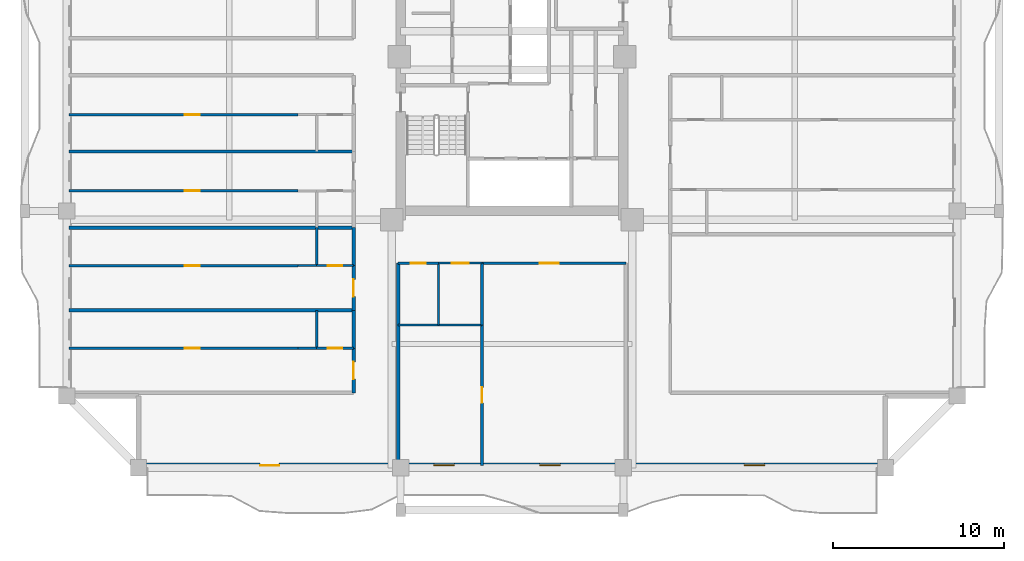
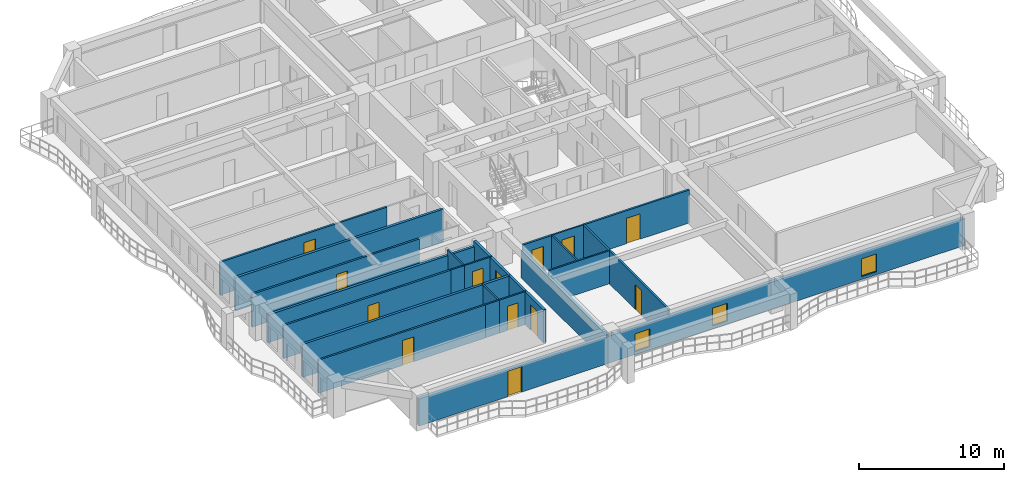
# One storey, part 2 of 13: 26 walls, 13 doors, 3 windows, 16 openings.
"""IFC4 building model written with IfcOpenShell, lengths in metres."""

from ifc_helpers import new_model, si_unit, direction, frame, frame_2d, origin, place, context, subcontext, project, spatial, rectangle, extrude, source, transform, mapped, material, layer, layer_set, type_object, element, fill, save


model = new_model("IFC4")

# Units and contexts
model_context = context("Model", 3, precision=1e-05, world=origin(), true_north=direction((0.0, 1.0)))
body_context = subcontext(model_context, "Body", "Model", "MODEL_VIEW")
ifc_project = project(units=[si_unit("LENGTHUNIT", "METRE"), si_unit("AREAUNIT", "SQUARE_METRE"), si_unit("VOLUMEUNIT", "CUBIC_METRE"), si_unit("PLANEANGLEUNIT", "RADIAN"), si_unit("MASSUNIT", "GRAM", prefix="KILO")], contexts=[model_context])

# Site, building, storey
site_placement = place(None, origin())
site = spatial("IfcSite", under=ifc_project, at=site_placement, CompositionType="ELEMENT")
building_placement = place(site_placement, origin())
building = spatial("IfcBuilding", under=site, at=building_placement, Name="Saelheon Loggia Tower", CompositionType="ELEMENT")
storey_placement = place(building_placement, frame((0.0, 0.0, 129.75)))
storey = spatial("IfcBuildingStorey", under=building, at=storey_placement, Name="L41", CompositionType="ELEMENT", Elevation=129.75)

# Wall, openings, windows, door
ifc_material_1 = material(Name="Architectural Precast Concrete C40/50", Category="concrete")
ifc_layer_1 = layer(ifc_material_1, 0.280029296875)
ifc_layer_set_1 = layer_set([ifc_layer_1], Name="Architectural Precast Concrete C40/50")
wall_type_1 = type_object("IfcWallType", Name="Wall_Ext_Loggia_280", PredefinedType="SOLIDWALL", material=ifc_layer_set_1)
wall_1_placement = place(storey_placement, frame((16.199951171875, 3.139892578125, 0.0), z_axis=(0.0, 0.0, 1.0), x_axis=(1.0, 0.0, 0.0)))
wall_1 = element("IfcWall", 1, at=wall_1_placement, inside=storey, type_object=wall_type_1, Name="L41 South Loggia Inner Wall", PredefinedType="SOLIDWALL", context=body_context, shape_type="SweptSolid", body=[
    extrude(rectangle(XDim=43.60009765625, YDim=0.280029296875, at=frame_2d((21.800048828125, 0.0))), origin(), (0.0, 0.0, 1.0), 2.280029296875),
])
opening_1_placement = place(wall_1_placement, frame((8.2001953125, 0.0, 0.0), z_axis=(0.0, 0.0, 1.0), x_axis=(-1.0, 0.0, 0.0)))
opening_1 = element("IfcOpeningElement", 2, at=opening_1_placement, cuts=wall_1, Name="Opening TD1", PredefinedType="OPENING", context=body_context, shape_type="SweptSolid", body=[
    extrude(rectangle(XDim=1.10009765625, YDim=2.14990234375, at=frame_2d((0.550048828125, 1.074951171875))), frame((0.0, 0.152099609375, 0.0), z_axis=(0.0, -1.0, 0.0), x_axis=(1.0, 0.0, 0.0)), (0.0, 0.0, 1.0), 0.303955078125),
])
opening_2_placement = place(wall_1_placement, frame((17.232421875, 0.0, 0.25)))
opening_2 = element("IfcOpeningElement", 3, at=opening_2_placement, cuts=wall_1, Name="Opening WN-03", PredefinedType="OPENING", context=body_context, shape_type="SweptSolid", body=[
    extrude(rectangle(XDim=1.199951171875, YDim=1.5, at=frame_2d((0.60009765625, 0.75))), frame((0.0, 0.152099609375, 0.0), z_axis=(0.0, -1.0, 0.0), x_axis=(1.0, 0.0, 0.0)), (0.0, 0.0, 1.0), 0.303955078125),
])
opening_3_placement = place(wall_1_placement, frame((23.41748046875, 0.0, 0.25)))
opening_3 = element("IfcOpeningElement", 4, at=opening_3_placement, cuts=wall_1, Name="Opening WN-03", PredefinedType="OPENING", context=body_context, shape_type="SweptSolid", body=[
    extrude(rectangle(XDim=1.199951171875, YDim=1.5, at=frame_2d((0.60009765625, 0.75))), frame((0.0, 0.152099609375, 0.0), z_axis=(0.0, -1.0, 0.0), x_axis=(1.0, 0.0, 0.0)), (0.0, 0.0, 1.0), 0.303955078125),
])
opening_4_placement = place(wall_1_placement, frame((35.35009765625, 0.0, 0.25)))
opening_4 = element("IfcOpeningElement", 5, at=opening_4_placement, cuts=wall_1, Name="Opening WN-03", PredefinedType="OPENING", context=body_context, shape_type="SweptSolid", body=[
    extrude(rectangle(XDim=1.199951171875, YDim=1.5, at=frame_2d((0.60009765625, 0.75))), frame((0.0, 0.152099609375, 0.0), z_axis=(0.0, -1.0, 0.0), x_axis=(1.0, 0.0, 0.0)), (0.0, 0.0, 1.0), 0.303955078125),
])
ifc_material_2 = material(Name="Thermal-Break Aluminium and Triple Low-E Glass", Category="aluminium")
window_type = type_object("IfcWindowType", Name="Win_Bedroom_1200x1500", PartitioningType="SINGLE_PANEL", PredefinedType="WINDOW", material=ifc_material_2)
shared_shape_1 = source(origin(), body_context, "Body", "SweptSolid", [
    extrude(rectangle(XDim=1.199951171875, YDim=1.5, at=frame_2d((0.60009765625, 0.75))), frame((0.0, 0.030029296875, 0.0), z_axis=(0.0, -1.0, 0.0), x_axis=(1.0, 0.0, 0.0)), (0.0, 0.0, 1.0), 0.06005859375),
])
window_1_placement = place(opening_2_placement, origin())
window_1 = element("IfcWindow", 6, at=window_1_placement, inside=storey, type_object=window_type, Name="L41 S Dwelling Window 2", OverallHeight=1.5, OverallWidth=1.199951171875, PartitioningType="SINGLE_PANEL", PredefinedType="WINDOW", context=body_context, shape_type="MappedRepresentation", body=[
    mapped(shared_shape_1, transform((0.0, 0.0, 0.0), scale=1.0)),
])
fill(opening_2, window_1)
window_2_placement = place(opening_3_placement, origin())
window_2 = element("IfcWindow", 7, at=window_2_placement, inside=storey, type_object=window_type, Name="L41 S Dwelling Window 3", OverallHeight=1.5, OverallWidth=1.199951171875, PartitioningType="SINGLE_PANEL", PredefinedType="WINDOW", context=body_context, shape_type="MappedRepresentation", body=[
    mapped(shared_shape_1, transform((0.0, 0.0, 0.0), scale=1.0)),
])
fill(opening_3, window_2)
window_3_placement = place(opening_4_placement, origin())
window_3 = element("IfcWindow", 8, at=window_3_placement, inside=storey, type_object=window_type, Name="L41 S Dwelling Window 4", OverallHeight=1.5, OverallWidth=1.199951171875, PartitioningType="SINGLE_PANEL", PredefinedType="WINDOW", context=body_context, shape_type="MappedRepresentation", body=[
    mapped(shared_shape_1, transform((0.0, 0.0, 0.0), scale=1.0)),
])
fill(opening_4, window_3)
ifc_material_3 = material(Name="Thermal-Break Aluminium Glazed Door", Category="aluminium")
door_type_1 = type_object("IfcDoorType", Name="Door_Terrace_TD1", OperationType="NOTDEFINED", PredefinedType="DOOR", material=ifc_material_3)
shared_shape_2 = source(origin(), body_context, "Body", "SweptSolid", [
    extrude(rectangle(XDim=1.10009765625, YDim=2.14990234375, at=frame_2d((0.550048828125, 1.074951171875))), frame((0.0, 0.02490234375, 0.0), z_axis=(0.0, -1.0, 0.0), x_axis=(1.0, 0.0, 0.0)), (0.0, 0.0, 1.0), 0.050048828125),
])
door_1_placement = place(opening_1_placement, origin())
door_1 = element("IfcDoor", 9, at=door_1_placement, inside=storey, type_object=door_type_1, Name="L41 S Loggia Access Door", OperationType="SINGLE_SWING_LEFT", OverallHeight=2.14990234375, OverallWidth=1.10009765625, PredefinedType="DOOR", context=body_context, shape_type="MappedRepresentation", body=[
    mapped(shared_shape_2, transform((0.0, 0.0, 0.0), scale=1.0)),
])
fill(opening_1, door_1)

# Wall
ifc_material_4 = material(Name="Lightweight Autoclaved Aerated Concrete Block and Acoustic Gypsum", Category="concrete")
ifc_layer_2 = layer(ifc_material_4, 0.14990234375)
ifc_layer_set_2 = layer_set([ifc_layer_2], Name="Lightweight Autoclaved Aerated Concrete Block and Acoustic Gypsum")
wall_type_2 = type_object("IfcWallType", Name="Wall_Part_150", PredefinedType="PARTITIONING", material=ifc_layer_set_2)
wall_2_placement = place(storey_placement, frame((36.25, 14.949951171875, 0.0), z_axis=(0.0, 0.0, 1.0), x_axis=(0.0, -1.0, 0.0)))
element("IfcWall", 10, at=wall_2_placement, inside=storey, type_object=wall_type_2, Name="L41 S Partition U04", PredefinedType="PARTITIONING", context=body_context, shape_type="SweptSolid", body=[
    extrude(rectangle(XDim=3.599853515625, YDim=0.14990234375, at=frame_2d((1.7998046875, 0.0))), origin(), (0.0, 0.0, 1.0), 2.7900390625),
])

# Wall, opening, door
wall_3_placement = place(storey_placement, frame((36.25, 11.35009765625, 0.0), z_axis=(0.0, 0.0, 1.0), x_axis=(0.0, -1.0, 0.0)))
wall_3 = element("IfcWall", 11, at=wall_3_placement, inside=storey, type_object=wall_type_2, Name="L41 S Partition U05", PredefinedType="PARTITIONING", context=body_context, shape_type="SweptSolid", body=[
    extrude(rectangle(XDim=8.2001953125, YDim=0.14990234375, at=frame_2d((4.10009765625, 0.0))), origin(), (0.0, 0.0, 1.0), 2.7900390625),
])
opening_5_placement = place(wall_3_placement, frame((3.64990234375, 0.0, 0.0)))
opening_5 = element("IfcOpeningElement", 12, at=opening_5_placement, cuts=wall_3, Name="Opening D-IN2", PredefinedType="OPENING", context=body_context, shape_type="SweptSolid", body=[
    extrude(rectangle(XDim=0.89990234375, YDim=2.10009765625, at=frame_2d((0.449951171875, 1.050048828125))), frame((0.0, 0.0869140625, 0.0), z_axis=(0.0, -1.0, 0.0), x_axis=(1.0, 0.0, 0.0)), (0.0, 0.0, 1.0), 0.173828125),
])
ifc_material_5 = material(Name="Engineered Oak Flush Door", Category="timber")
door_type_2 = type_object("IfcDoorType", Name="Door_Int_900", OperationType="NOTDEFINED", PredefinedType="DOOR", material=ifc_material_5)
shared_shape_3 = source(origin(), body_context, "Body", "SweptSolid", [
    extrude(rectangle(XDim=0.89990234375, YDim=2.10009765625, at=frame_2d((0.449951171875, 1.050048828125))), frame((0.0, 0.02490234375, 0.0), z_axis=(0.0, -1.0, 0.0), x_axis=(1.0, 0.0, 0.0)), (0.0, 0.0, 1.0), 0.050048828125),
])
door_2_placement = place(opening_5_placement, origin())
door_2 = element("IfcDoor", 13, at=door_2_placement, inside=storey, type_object=door_type_2, Name="L41 Reading Alcove Door", OperationType="SINGLE_SWING_LEFT", OverallHeight=2.10009765625, OverallWidth=0.89990234375, PredefinedType="DOOR", context=body_context, shape_type="MappedRepresentation", body=[
    mapped(shared_shape_3, transform((0.0, 0.0, 0.0), scale=1.0)),
])
fill(opening_5, door_2)

wall_4_placement = place(storey_placement, frame((31.35009765625, 14.949951171875, 0.0), z_axis=(0.0, 0.0, 1.0), x_axis=(1.0, 0.0, 0.0)))
wall_4 = element("IfcWall", 14, at=wall_4_placement, inside=storey, type_object=wall_type_2, Name="L41 S Partition V07", PredefinedType="PARTITIONING", context=body_context, shape_type="SweptSolid", body=[
    extrude(rectangle(XDim=2.349853515625, YDim=0.14990234375, at=frame_2d((1.1748046875, 0.0))), origin(), (0.0, 0.0, 1.0), 2.7900390625),
])
opening_6_placement = place(wall_4_placement, frame((0.72509765625, 0.0, 0.0)))
opening_6 = element("IfcOpeningElement", 15, at=opening_6_placement, cuts=wall_4, Name="Opening D-IN2", PredefinedType="OPENING", context=body_context, shape_type="SweptSolid", body=[
    extrude(rectangle(XDim=0.89990234375, YDim=2.10009765625, at=frame_2d((0.449951171875, 1.050048828125))), frame((0.0, 0.0869140625, 0.0), z_axis=(0.0, -1.0, 0.0), x_axis=(1.0, 0.0, 0.0)), (0.0, 0.0, 1.0), 0.173828125),
])
door_3_placement = place(opening_6_placement, origin())
door_3 = element("IfcDoor", 16, at=door_3_placement, inside=storey, type_object=door_type_2, Name="L41 Community Pantry Door", OperationType="SINGLE_SWING_RIGHT", OverallHeight=2.10009765625, OverallWidth=0.89990234375, PredefinedType="DOOR", context=body_context, shape_type="MappedRepresentation", body=[
    mapped(shared_shape_3, transform((0.0, 0.0, 0.0), scale=1.0)),
])
fill(opening_6, door_3)

wall_5_placement = place(storey_placement, frame((36.25, 14.949951171875, 0.0), z_axis=(0.0, 0.0, 1.0), x_axis=(1.0, 0.0, 0.0)))
wall_5 = element("IfcWall", 17, at=wall_5_placement, inside=storey, type_object=wall_type_2, Name="L41 S Partition V09", PredefinedType="PARTITIONING", context=body_context, shape_type="SweptSolid", body=[
    extrude(rectangle(XDim=8.39990234375, YDim=0.14990234375, at=frame_2d((4.199951171875, 0.0))), origin(), (0.0, 0.0, 1.0), 2.7900390625),
])
opening_7_placement = place(wall_5_placement, frame((3.367431640625, 0.0, 0.0)))
opening_7 = element("IfcOpeningElement", 18, at=opening_7_placement, cuts=wall_5, Name="Opening D-FD2", PredefinedType="OPENING", context=body_context, shape_type="SweptSolid", body=[
    extrude(rectangle(XDim=1.10009765625, YDim=2.14990234375, at=frame_2d((0.550048828125, 1.074951171875))), frame((0.0, 0.0869140625, 0.0), z_axis=(0.0, -1.0, 0.0), x_axis=(1.0, 0.0, 0.0)), (0.0, 0.0, 1.0), 0.173828125),
])
ifc_material_6 = material(Name="Galvanised Steel Fire Door", Category="steel")
door_type_3 = type_object("IfcDoorType", Name="Door_Fire_FD60_1100", OperationType="NOTDEFINED", PredefinedType="DOOR", material=ifc_material_6)
door_4_placement = place(opening_7_placement, origin())
door_4 = element("IfcDoor", 19, at=door_4_placement, inside=storey, type_object=door_type_3, Name="L41 Sky Community Club Hall Door A", OperationType="SINGLE_SWING_RIGHT", OverallHeight=2.14990234375, OverallWidth=1.10009765625, PredefinedType="DOOR", context=body_context, shape_type="MappedRepresentation", body=[
    mapped(shared_shape_2, transform((0.0, 0.0, 0.0), scale=1.0)),
])
fill(opening_7, door_4)

wall_6_placement = place(storey_placement, frame((25.510009765625, 9.98291015625, 0.0), z_axis=(0.0, 0.0, 1.0), x_axis=(-1.0, 0.0, 0.0)))
wall_6 = element("IfcWall", 20, at=wall_6_placement, inside=storey, type_object=wall_type_2, Name="L41 WS Partition U08", PredefinedType="PARTITIONING", context=body_context, shape_type="SweptSolid", body=[
    extrude(rectangle(XDim=13.360107421875, YDim=0.14990234375, at=frame_2d((6.68017578125, 0.0))), origin(), (0.0, 0.0, 1.0), 2.7900390625),
])
opening_8_placement = place(wall_6_placement, frame((5.730712890625, 0.0, 0.0)))
opening_8 = element("IfcOpeningElement", 21, at=opening_8_placement, cuts=wall_6, Name="Opening D-IN2", PredefinedType="OPENING", context=body_context, shape_type="SweptSolid", body=[
    extrude(rectangle(XDim=0.89990234375, YDim=2.10009765625, at=frame_2d((0.449951171875, 1.050048828125))), frame((0.0, 0.0869140625, 0.0), z_axis=(0.0, -1.0, 0.0), x_axis=(1.0, 0.0, 0.0)), (0.0, 0.0, 1.0), 0.173828125),
])
door_5_placement = place(opening_8_placement, origin())
door_5 = element("IfcDoor", 22, at=door_5_placement, inside=storey, type_object=door_type_2, Name="Unit U01 Kitchen Door", OperationType="SINGLE_SWING_RIGHT", OverallHeight=2.10009765625, OverallWidth=0.89990234375, PredefinedType="DOOR", context=body_context, shape_type="MappedRepresentation", body=[
    mapped(shared_shape_3, transform((0.0, 0.0, 0.0), scale=1.0)),
])
fill(opening_8, door_5)

wall_7_placement = place(storey_placement, frame((25.510009765625, 14.803466796875, 0.0), z_axis=(0.0, 0.0, 1.0), x_axis=(-1.0, 0.0, 0.0)))
wall_7 = element("IfcWall", 23, at=wall_7_placement, inside=storey, type_object=wall_type_2, Name="L41 WS Partition U15", PredefinedType="PARTITIONING", context=body_context, shape_type="SweptSolid", body=[
    extrude(rectangle(XDim=13.360107421875, YDim=0.14990234375, at=frame_2d((6.68017578125, 0.0))), origin(), (0.0, 0.0, 1.0), 2.7900390625),
])
opening_9_placement = place(wall_7_placement, frame((5.730712890625, 0.0, 0.0)))
opening_9 = element("IfcOpeningElement", 24, at=opening_9_placement, cuts=wall_7, Name="Opening D-IN2", PredefinedType="OPENING", context=body_context, shape_type="SweptSolid", body=[
    extrude(rectangle(XDim=0.89990234375, YDim=2.10009765625, at=frame_2d((0.449951171875, 1.050048828125))), frame((0.0, 0.0869140625, 0.0), z_axis=(0.0, -1.0, 0.0), x_axis=(1.0, 0.0, 0.0)), (0.0, 0.0, 1.0), 0.173828125),
])
door_6_placement = place(opening_9_placement, origin())
door_6 = element("IfcDoor", 25, at=door_6_placement, inside=storey, type_object=door_type_2, Name="Unit U02 Kitchen Door", OperationType="SINGLE_SWING_LEFT", OverallHeight=2.10009765625, OverallWidth=0.89990234375, PredefinedType="DOOR", context=body_context, shape_type="MappedRepresentation", body=[
    mapped(shared_shape_3, transform((0.0, 0.0, 0.0), scale=1.0)),
])
fill(opening_9, door_6)

wall_8_placement = place(storey_placement, frame((25.510009765625, 19.1708984375, 0.0), z_axis=(0.0, 0.0, 1.0), x_axis=(-1.0, 0.0, 0.0)))
wall_8 = element("IfcWall", 26, at=wall_8_placement, inside=storey, type_object=wall_type_2, Name="L41 WS Partition U22", PredefinedType="PARTITIONING", context=body_context, shape_type="SweptSolid", body=[
    extrude(rectangle(XDim=13.360107421875, YDim=0.14990234375, at=frame_2d((6.68017578125, 0.0))), origin(), (0.0, 0.0, 1.0), 2.7900390625),
])
opening_10_placement = place(wall_8_placement, frame((5.730712890625, 0.0, 0.0)))
opening_10 = element("IfcOpeningElement", 27, at=opening_10_placement, cuts=wall_8, Name="Opening D-IN2", PredefinedType="OPENING", context=body_context, shape_type="SweptSolid", body=[
    extrude(rectangle(XDim=0.89990234375, YDim=2.10009765625, at=frame_2d((0.449951171875, 1.050048828125))), frame((0.0, 0.0869140625, 0.0), z_axis=(0.0, -1.0, 0.0), x_axis=(1.0, 0.0, 0.0)), (0.0, 0.0, 1.0), 0.173828125),
])
door_7_placement = place(opening_10_placement, origin())
door_7 = element("IfcDoor", 28, at=door_7_placement, inside=storey, type_object=door_type_2, Name="Unit U03 Kitchen Door", OperationType="SINGLE_SWING_RIGHT", OverallHeight=2.10009765625, OverallWidth=0.89990234375, PredefinedType="DOOR", context=body_context, shape_type="MappedRepresentation", body=[
    mapped(shared_shape_3, transform((0.0, 0.0, 0.0), scale=1.0)),
])
fill(opening_10, door_7)

wall_9_placement = place(storey_placement, frame((25.510009765625, 23.620361328125, 0.0), z_axis=(0.0, 0.0, 1.0), x_axis=(-1.0, 0.0, 0.0)))
wall_9 = element("IfcWall", 29, at=wall_9_placement, inside=storey, type_object=wall_type_2, Name="L41 WS Partition U29", PredefinedType="PARTITIONING", context=body_context, shape_type="SweptSolid", body=[
    extrude(rectangle(XDim=13.360107421875, YDim=0.14990234375, at=frame_2d((6.68017578125, 0.0))), origin(), (0.0, 0.0, 1.0), 2.7900390625),
])
opening_11_placement = place(wall_9_placement, frame((5.730712890625, 0.0, 0.0)))
opening_11 = element("IfcOpeningElement", 30, at=opening_11_placement, cuts=wall_9, Name="Opening D-IN2", PredefinedType="OPENING", context=body_context, shape_type="SweptSolid", body=[
    extrude(rectangle(XDim=0.89990234375, YDim=2.10009765625, at=frame_2d((0.449951171875, 1.050048828125))), frame((0.0, 0.0869140625, 0.0), z_axis=(0.0, -1.0, 0.0), x_axis=(1.0, 0.0, 0.0)), (0.0, 0.0, 1.0), 0.173828125),
])
door_8_placement = place(opening_11_placement, origin())
door_8 = element("IfcDoor", 31, at=door_8_placement, inside=storey, type_object=door_type_2, Name="Unit U04 Kitchen Door", OperationType="SINGLE_SWING_LEFT", OverallHeight=2.10009765625, OverallWidth=0.89990234375, PredefinedType="DOOR", context=body_context, shape_type="MappedRepresentation", body=[
    mapped(shared_shape_3, transform((0.0, 0.0, 0.0), scale=1.0)),
])
fill(opening_11, door_8)

# Wall
ifc_material_7 = material(Name="Double Acoustic Stud and Fireboard Partition", Category="gypsum")
ifc_layer_3 = layer(ifc_material_7, 0.199951171875)
ifc_layer_set_3 = layer_set([ifc_layer_3], Name="Double Acoustic Stud and Fireboard Partition")
wall_type_3 = type_object("IfcWallType", Name="Wall_Party_200", PredefinedType="PARTITIONING", material=ifc_layer_set_3)
wall_10_placement = place(storey_placement, frame((31.35009765625, 14.949951171875, 0.0), z_axis=(0.0, 0.0, 1.0), x_axis=(0.0, -1.0, 0.0)))
element("IfcWall", 32, at=wall_10_placement, inside=storey, type_object=wall_type_3, Name="L41 S Partition U01", PredefinedType="PARTITIONING", context=body_context, shape_type="SweptSolid", body=[
    extrude(rectangle(XDim=11.800048828125, YDim=0.199951171875, at=frame_2d((5.89990234375, 0.0))), origin(), (0.0, 0.0, 1.0), 2.340087890625),
])

# Wall, opening, door
wall_11_placement = place(storey_placement, frame((28.75, 7.3798828125, 0.0), z_axis=(0.0, 0.0, 1.0), x_axis=(0.0, 1.0, 0.0)))
wall_11 = element("IfcWall", 33, at=wall_11_placement, inside=storey, type_object=wall_type_3, Name="L41 WS Partition V03", PredefinedType="PARTITIONING", context=body_context, shape_type="SweptSolid", body=[
    extrude(rectangle(XDim=2.60302734375, YDim=0.199951171875, at=frame_2d((1.301513671875, 0.0))), origin(), (0.0, 0.0, 1.0), 2.7900390625),
])
opening_12_placement = place(wall_11_placement, frame((0.801513671875, 0.0, 0.0)))
opening_12 = element("IfcOpeningElement", 34, at=opening_12_placement, cuts=wall_11, Name="Opening D-FD1", PredefinedType="OPENING", context=body_context, shape_type="SweptSolid", body=[
    extrude(rectangle(XDim=1.0, YDim=2.14990234375, at=frame_2d((0.5, 1.074951171875))), frame((0.0, 0.112060546875, 0.0), z_axis=(0.0, -1.0, 0.0), x_axis=(1.0, 0.0, 0.0)), (0.0, 0.0, 1.0), 0.223876953125),
])
ifc_material_8 = material(Name="Fire-Rated Engineered Timber Entrance Door", Category="wood")
door_type_4 = type_object("IfcDoorType", Name="Door_Flat_FD30S", OperationType="NOTDEFINED", PredefinedType="DOOR", material=ifc_material_8)
shared_shape_4 = source(origin(), body_context, "Body", "SweptSolid", [
    extrude(rectangle(XDim=1.0, YDim=2.14990234375, at=frame_2d((0.5, 1.074951171875))), frame((0.0, 0.02490234375, 0.0), z_axis=(0.0, -1.0, 0.0), x_axis=(1.0, 0.0, 0.0)), (0.0, 0.0, 1.0), 0.050048828125),
])
door_9_placement = place(opening_12_placement, origin())
door_9 = element("IfcDoor", 35, at=door_9_placement, inside=storey, type_object=door_type_4, Name="Unit U01 Entrance Door", OperationType="SINGLE_SWING_RIGHT", OverallHeight=2.14990234375, OverallWidth=1.0, PredefinedType="DOOR", context=body_context, shape_type="MappedRepresentation", body=[
    mapped(shared_shape_4, transform((0.0, 0.0, 0.0), scale=1.0)),
])
fill(opening_12, door_9)

# Walls
wall_12_placement = place(storey_placement, frame((28.75, 9.98291015625, 0.0), z_axis=(0.0, 0.0, 1.0), x_axis=(0.0, 1.0, 0.0)))
element("IfcWall", 36, at=wall_12_placement, inside=storey, type_object=wall_type_3, Name="L41 WS Partition V04", PredefinedType="PARTITIONING", context=body_context, shape_type="SweptSolid", body=[
    extrude(rectangle(XDim=2.217529296875, YDim=0.199951171875, at=frame_2d((1.10888671875, 0.0))), origin(), (0.0, 0.0, 1.0), 2.7900390625),
])
wall_13_placement = place(storey_placement, frame((28.75, 12.200439453125, 0.0), z_axis=(0.0, 0.0, 1.0), x_axis=(-1.0, 0.0, 0.0)))
element("IfcWall", 37, at=wall_13_placement, inside=storey, type_object=wall_type_3, Name="L41 WS Partition U09", PredefinedType="PARTITIONING", context=body_context, shape_type="SweptSolid", body=[
    extrude(rectangle(XDim=16.60009765625, YDim=0.199951171875, at=frame_2d((8.300048828125, 0.0))), origin(), (0.0, 0.0, 1.0), 2.7900390625),
])

# Wall, opening, door
wall_14_placement = place(storey_placement, frame((28.75, 12.200439453125, 0.0), z_axis=(0.0, 0.0, 1.0), x_axis=(0.0, 1.0, 0.0)))
wall_14 = element("IfcWall", 38, at=wall_14_placement, inside=storey, type_object=wall_type_3, Name="L41 WS Partition V10", PredefinedType="PARTITIONING", context=body_context, shape_type="SweptSolid", body=[
    extrude(rectangle(XDim=2.60302734375, YDim=0.199951171875, at=frame_2d((1.301513671875, 0.0))), origin(), (0.0, 0.0, 1.0), 2.7900390625),
])
opening_13_placement = place(wall_14_placement, frame((0.801513671875, 0.0, 0.0)))
opening_13 = element("IfcOpeningElement", 39, at=opening_13_placement, cuts=wall_14, Name="Opening D-FD1", PredefinedType="OPENING", context=body_context, shape_type="SweptSolid", body=[
    extrude(rectangle(XDim=1.0, YDim=2.14990234375, at=frame_2d((0.5, 1.074951171875))), frame((0.0, 0.112060546875, 0.0), z_axis=(0.0, -1.0, 0.0), x_axis=(1.0, 0.0, 0.0)), (0.0, 0.0, 1.0), 0.223876953125),
])
door_10_placement = place(opening_13_placement, origin())
door_10 = element("IfcDoor", 40, at=door_10_placement, inside=storey, type_object=door_type_4, Name="Unit U02 Entrance Door", OperationType="SINGLE_SWING_LEFT", OverallHeight=2.14990234375, OverallWidth=1.0, PredefinedType="DOOR", context=body_context, shape_type="MappedRepresentation", body=[
    mapped(shared_shape_4, transform((0.0, 0.0, 0.0), scale=1.0)),
])
fill(opening_13, door_10)

# Walls
wall_15_placement = place(storey_placement, frame((28.75, 14.803466796875, 0.0), z_axis=(0.0, 0.0, 1.0), x_axis=(0.0, 1.0, 0.0)))
element("IfcWall", 41, at=wall_15_placement, inside=storey, type_object=wall_type_3, Name="L41 WS Partition V11", PredefinedType="PARTITIONING", context=body_context, shape_type="SweptSolid", body=[
    extrude(rectangle(XDim=2.21728515625, YDim=0.199951171875, at=frame_2d((1.108642578125, 0.0))), origin(), (0.0, 0.0, 1.0), 2.7900390625),
])
wall_16_placement = place(storey_placement, frame((28.75, 17.020751953125, 0.0), z_axis=(0.0, 0.0, 1.0), x_axis=(-1.0, 0.0, 0.0)))
element("IfcWall", 42, at=wall_16_placement, inside=storey, type_object=wall_type_3, Name="L41 WS Partition U16", PredefinedType="PARTITIONING", context=body_context, shape_type="SweptSolid", body=[
    extrude(rectangle(XDim=16.60009765625, YDim=0.199951171875, at=frame_2d((8.300048828125, 0.0))), origin(), (0.0, 0.0, 1.0), 2.340087890625),
])
wall_17_placement = place(storey_placement, frame((28.75, 21.470458984375, 0.0), z_axis=(0.0, 0.0, 1.0), x_axis=(-1.0, 0.0, 0.0)))
element("IfcWall", 43, at=wall_17_placement, inside=storey, type_object=wall_type_3, Name="L41 WS Partition U23", PredefinedType="PARTITIONING", context=body_context, shape_type="SweptSolid", body=[
    extrude(rectangle(XDim=16.60009765625, YDim=0.199951171875, at=frame_2d((8.300048828125, 0.0))), origin(), (0.0, 0.0, 1.0), 2.7900390625),
])
ifc_material_9 = material(Name="Moisture-Resistant Cement Board Partition", Category="gypsum")
ifc_layer_4 = layer(ifc_material_9, 0.1201171875)
ifc_layer_set_4 = layer_set([ifc_layer_4], Name="Moisture-Resistant Cement Board Partition")
wall_type_4 = type_object("IfcWallType", Name="Wall_WetPart_120", PredefinedType="PARTITIONING", material=ifc_layer_set_4)
wall_18_placement = place(storey_placement, frame((33.699951171875, 14.949951171875, 0.0), z_axis=(0.0, 0.0, 1.0), x_axis=(0.0, -1.0, 0.0)))
element("IfcWall", 44, at=wall_18_placement, inside=storey, type_object=wall_type_4, Name="L41 S Partition U03", PredefinedType="PARTITIONING", context=body_context, shape_type="SweptSolid", body=[
    extrude(rectangle(XDim=3.599853515625, YDim=0.1201171875, at=frame_2d((1.7998046875, 0.0))), origin(), (0.0, 0.0, 1.0), 2.7900390625),
])
wall_19_placement = place(storey_placement, frame((31.35009765625, 11.35009765625, 0.0), z_axis=(0.0, 0.0, 1.0), x_axis=(1.0, 0.0, 0.0)))
element("IfcWall", 45, at=wall_19_placement, inside=storey, type_object=wall_type_4, Name="L41 S Partition V06", PredefinedType="PARTITIONING", context=body_context, shape_type="SweptSolid", body=[
    extrude(rectangle(XDim=4.89990234375, YDim=0.1201171875, at=frame_2d((2.449951171875, 0.0))), origin(), (0.0, 0.0, 1.0), 2.7900390625),
])

# Wall, opening, door
wall_20_placement = place(storey_placement, frame((33.699951171875, 14.949951171875, 0.0), z_axis=(0.0, 0.0, 1.0), x_axis=(1.0, 0.0, 0.0)))
wall_20 = element("IfcWall", 46, at=wall_20_placement, inside=storey, type_object=wall_type_4, Name="L41 S Partition V08", PredefinedType="PARTITIONING", context=body_context, shape_type="SweptSolid", body=[
    extrude(rectangle(XDim=2.550048828125, YDim=0.1201171875, at=frame_2d((1.27490234375, 0.0))), origin(), (0.0, 0.0, 1.0), 2.7900390625),
])
opening_14_placement = place(wall_20_placement, frame((0.77490234375, 0.0, 0.0)))
opening_14 = element("IfcOpeningElement", 47, at=opening_14_placement, cuts=wall_20, Name="Opening D-AC1", PredefinedType="OPENING", context=body_context, shape_type="SweptSolid", body=[
    extrude(rectangle(XDim=1.0, YDim=2.10009765625, at=frame_2d((0.5, 1.050048828125))), frame((0.0, 0.072021484375, 0.0), z_axis=(0.0, -1.0, 0.0), x_axis=(1.0, 0.0, 0.0)), (0.0, 0.0, 1.0), 0.14404296875),
])
ifc_material_10 = material(Name="Accessible Laminate Flush Door", Category="timber")
door_type_5 = type_object("IfcDoorType", Name="Door_Acc_1000", OperationType="NOTDEFINED", PredefinedType="DOOR", material=ifc_material_10)
shared_shape_5 = source(origin(), body_context, "Body", "SweptSolid", [
    extrude(rectangle(XDim=1.0, YDim=2.10009765625, at=frame_2d((0.5, 1.050048828125))), frame((0.0, 0.02490234375, 0.0), z_axis=(0.0, -1.0, 0.0), x_axis=(1.0, 0.0, 0.0)), (0.0, 0.0, 1.0), 0.050048828125),
])
door_11_placement = place(opening_14_placement, origin())
door_11 = element("IfcDoor", 48, at=door_11_placement, inside=storey, type_object=door_type_5, Name="L41 Common Washroom Door", OperationType="SINGLE_SWING_LEFT", OverallHeight=2.10009765625, OverallWidth=1.0, PredefinedType="DOOR", context=body_context, shape_type="MappedRepresentation", body=[
    mapped(shared_shape_5, transform((0.0, 0.0, 0.0), scale=1.0)),
])
fill(opening_14, door_11)

wall_21_placement = place(storey_placement, frame((28.75, 9.98291015625, 0.0), z_axis=(0.0, 0.0, 1.0), x_axis=(-1.0, 0.0, 0.0)))
wall_21 = element("IfcWall", 49, at=wall_21_placement, inside=storey, type_object=wall_type_4, Name="L41 WS Partition U05", PredefinedType="PARTITIONING", context=body_context, shape_type="SweptSolid", body=[
    extrude(rectangle(XDim=2.14990234375, YDim=0.1201171875, at=frame_2d((1.074951171875, 0.0))), origin(), (0.0, 0.0, 1.0), 2.7900390625),
])
opening_15_placement = place(wall_21_placement, frame((0.64990234375, 0.0, 0.0)))
opening_15 = element("IfcOpeningElement", 50, at=opening_15_placement, cuts=wall_21, Name="Opening D-BT1", PredefinedType="OPENING", context=body_context, shape_type="SweptSolid", body=[
    extrude(rectangle(XDim=0.85009765625, YDim=2.050048828125, at=frame_2d((0.425048828125, 1.02490234375))), frame((0.0, 0.072021484375, 0.0), z_axis=(0.0, -1.0, 0.0), x_axis=(1.0, 0.0, 0.0)), (0.0, 0.0, 1.0), 0.14404296875),
])
ifc_material_11 = material(Name="Moisture-Resistant Laminate Timber Door", Category="wood")
door_type_6 = type_object("IfcDoorType", Name="Door_Bath_850", OperationType="NOTDEFINED", PredefinedType="DOOR", material=ifc_material_11)
shared_shape_6 = source(origin(), body_context, "Body", "SweptSolid", [
    extrude(rectangle(XDim=0.85009765625, YDim=2.050048828125, at=frame_2d((0.425048828125, 1.02490234375))), frame((0.0, 0.02490234375, 0.0), z_axis=(0.0, -1.0, 0.0), x_axis=(1.0, 0.0, 0.0)), (0.0, 0.0, 1.0), 0.050048828125),
])
door_12_placement = place(opening_15_placement, origin())
door_12 = element("IfcDoor", 51, at=door_12_placement, inside=storey, type_object=door_type_6, Name="Unit U01 Bathroom Door", OperationType="SINGLE_SWING_LEFT", OverallHeight=2.050048828125, OverallWidth=0.85009765625, PredefinedType="DOOR", context=body_context, shape_type="MappedRepresentation", body=[
    mapped(shared_shape_6, transform((0.0, 0.0, 0.0), scale=1.0)),
])
fill(opening_15, door_12)

# Walls
wall_22_placement = place(storey_placement, frame((26.60009765625, 9.98291015625, 0.0), z_axis=(0.0, 0.0, 1.0), x_axis=(-1.0, 0.0, 0.0)))
element("IfcWall", 52, at=wall_22_placement, inside=storey, type_object=wall_type_4, Name="L41 WS Partition U06", PredefinedType="PARTITIONING", context=body_context, shape_type="SweptSolid", body=[
    extrude(rectangle(XDim=1.090087890625, YDim=0.1201171875, at=frame_2d((0.544921875, 0.0))), origin(), (0.0, 0.0, 1.0), 2.7900390625),
])
wall_23_placement = place(storey_placement, frame((26.60009765625, 9.98291015625, 0.0), z_axis=(0.0, 0.0, 1.0), x_axis=(0.0, 1.0, 0.0)))
element("IfcWall", 53, at=wall_23_placement, inside=storey, type_object=wall_type_4, Name="L41 WS Partition V07", PredefinedType="PARTITIONING", context=body_context, shape_type="SweptSolid", body=[
    extrude(rectangle(XDim=2.217529296875, YDim=0.1201171875, at=frame_2d((1.10888671875, 0.0))), origin(), (0.0, 0.0, 1.0), 2.7900390625),
])

# Wall, opening, door
wall_24_placement = place(storey_placement, frame((28.75, 14.803466796875, 0.0), z_axis=(0.0, 0.0, 1.0), x_axis=(-1.0, 0.0, 0.0)))
wall_24 = element("IfcWall", 54, at=wall_24_placement, inside=storey, type_object=wall_type_4, Name="L41 WS Partition U12", PredefinedType="PARTITIONING", context=body_context, shape_type="SweptSolid", body=[
    extrude(rectangle(XDim=2.14990234375, YDim=0.1201171875, at=frame_2d((1.074951171875, 0.0))), origin(), (0.0, 0.0, 1.0), 2.7900390625),
])
opening_16_placement = place(wall_24_placement, frame((0.64990234375, 0.0, 0.0)))
opening_16 = element("IfcOpeningElement", 55, at=opening_16_placement, cuts=wall_24, Name="Opening D-BT1", PredefinedType="OPENING", context=body_context, shape_type="SweptSolid", body=[
    extrude(rectangle(XDim=0.85009765625, YDim=2.050048828125, at=frame_2d((0.425048828125, 1.02490234375))), frame((0.0, 0.072021484375, 0.0), z_axis=(0.0, -1.0, 0.0), x_axis=(1.0, 0.0, 0.0)), (0.0, 0.0, 1.0), 0.14404296875),
])
door_13_placement = place(opening_16_placement, origin())
door_13 = element("IfcDoor", 56, at=door_13_placement, inside=storey, type_object=door_type_6, Name="Unit U02 Bathroom Door", OperationType="SINGLE_SWING_RIGHT", OverallHeight=2.050048828125, OverallWidth=0.85009765625, PredefinedType="DOOR", context=body_context, shape_type="MappedRepresentation", body=[
    mapped(shared_shape_6, transform((0.0, 0.0, 0.0), scale=1.0)),
])
fill(opening_16, door_13)

# Walls
wall_25_placement = place(storey_placement, frame((26.60009765625, 14.803466796875, 0.0), z_axis=(0.0, 0.0, 1.0), x_axis=(-1.0, 0.0, 0.0)))
element("IfcWall", 57, at=wall_25_placement, inside=storey, type_object=wall_type_4, Name="L41 WS Partition U13", PredefinedType="PARTITIONING", context=body_context, shape_type="SweptSolid", body=[
    extrude(rectangle(XDim=1.090087890625, YDim=0.1201171875, at=frame_2d((0.544921875, 0.0))), origin(), (0.0, 0.0, 1.0), 2.7900390625),
])
wall_26_placement = place(storey_placement, frame((26.60009765625, 14.803466796875, 0.0), z_axis=(0.0, 0.0, 1.0), x_axis=(0.0, 1.0, 0.0)))
element("IfcWall", 58, at=wall_26_placement, inside=storey, type_object=wall_type_4, Name="L41 WS Partition V14", PredefinedType="PARTITIONING", context=body_context, shape_type="SweptSolid", body=[
    extrude(rectangle(XDim=2.21728515625, YDim=0.1201171875, at=frame_2d((1.108642578125, 0.0))), origin(), (0.0, 0.0, 1.0), 2.7900390625),
])

save(model, "model.ifc")
